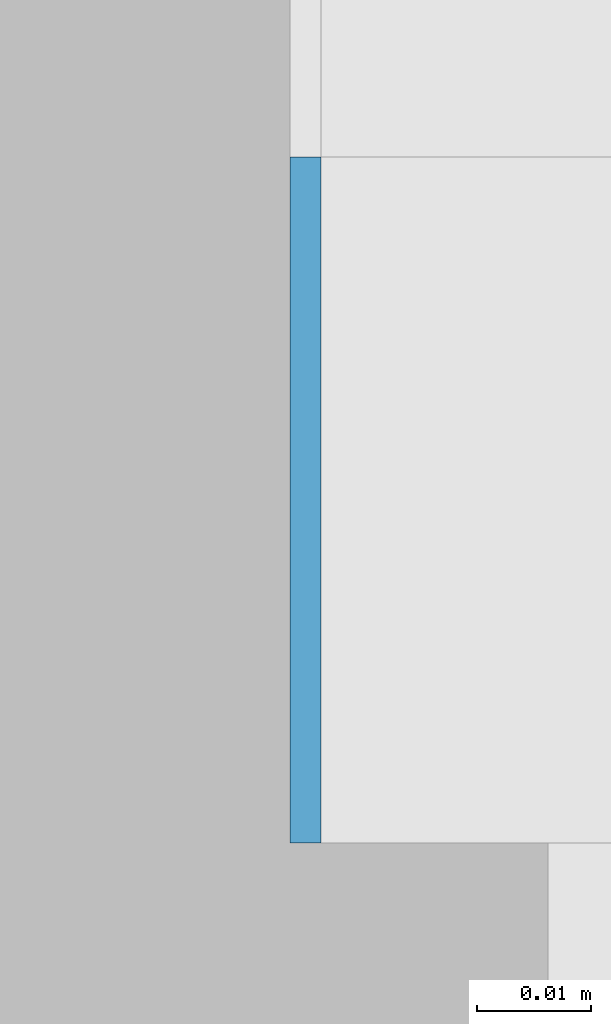
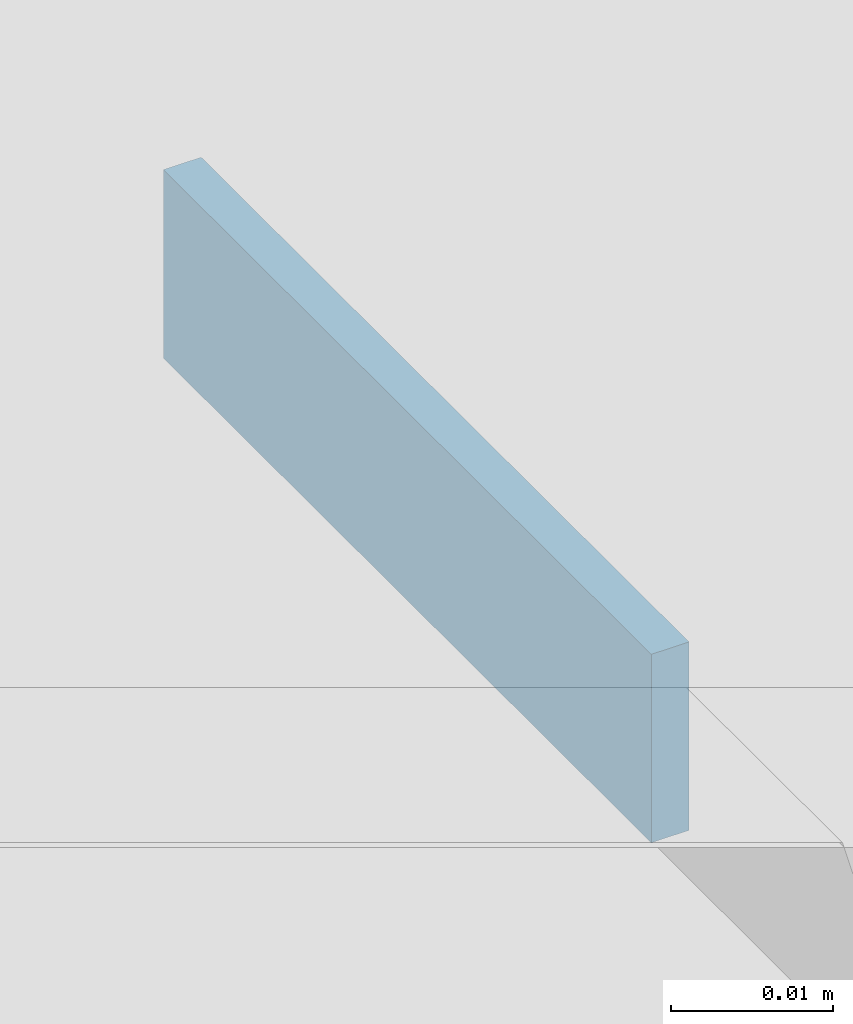
# One storey, part 603 of 646: 1 discrete accessory.
"""IFC4 building model written with IfcOpenShell, lengths in metres."""

from ifc_helpers import new_model, si_unit, direction, frame, origin, origin_2d, place, context, subcontext, project, spatial, rectangle, extrude, material, type_object, element, save


model = new_model("IFC4")

# Units and contexts
model_context = context("Model", 3, precision=1e-05, world=origin(), true_north=direction((0.0, 1.0)))
body_context = subcontext(model_context, "Body", "Model", "MODEL_VIEW")
ifc_project = project(units=[si_unit("LENGTHUNIT", "METRE"), si_unit("AREAUNIT", "SQUARE_METRE"), si_unit("VOLUMEUNIT", "CUBIC_METRE"), si_unit("PLANEANGLEUNIT", "RADIAN"), si_unit("MASSUNIT", "GRAM", prefix="KILO")], contexts=[model_context])

# Site, building, storey
site_placement = place(None, origin())
site = spatial("IfcSite", under=ifc_project, at=site_placement, CompositionType="ELEMENT")
building_placement = place(site_placement, origin())
building = spatial("IfcBuilding", under=site, at=building_placement, Name="Silverbay Arena", CompositionType="ELEMENT")
storey_placement = place(building_placement, frame((0.0, 0.0, 33.5)))
storey = spatial("IfcBuildingStorey", under=building, at=storey_placement, Name="L05", CompositionType="ELEMENT", Elevation=33.5)

# Discrete accessory
ifc_material = material(Name="Steel S355", Category="steel")
discrete_accessory_type = type_object("IfcDiscreteAccessoryType", Name="Steel bracket plate", PredefinedType="BRACKET", material=ifc_material)
discrete_accessory_placement = place(storey_placement, frame((207.128662109375, 125.969970703125, 12.98583984375), z_axis=(0.0, 0.0, 1.0), x_axis=(1.0, 0.0, 0.0)))
element("IfcDiscreteAccessory", 1, at=discrete_accessory_placement, inside=storey, type_object=discrete_accessory_type, Name="Curtain wall packing plate", PredefinedType="BRACKET", context=body_context, shape_type="SweptSolid", body=[
    extrude(rectangle(XDim=0.002685546875, YDim=0.06005859375, at=origin_2d()), origin(), (0.0, 0.0, 1.0), 0.01416015625),
])

save(model, "model.ifc")
